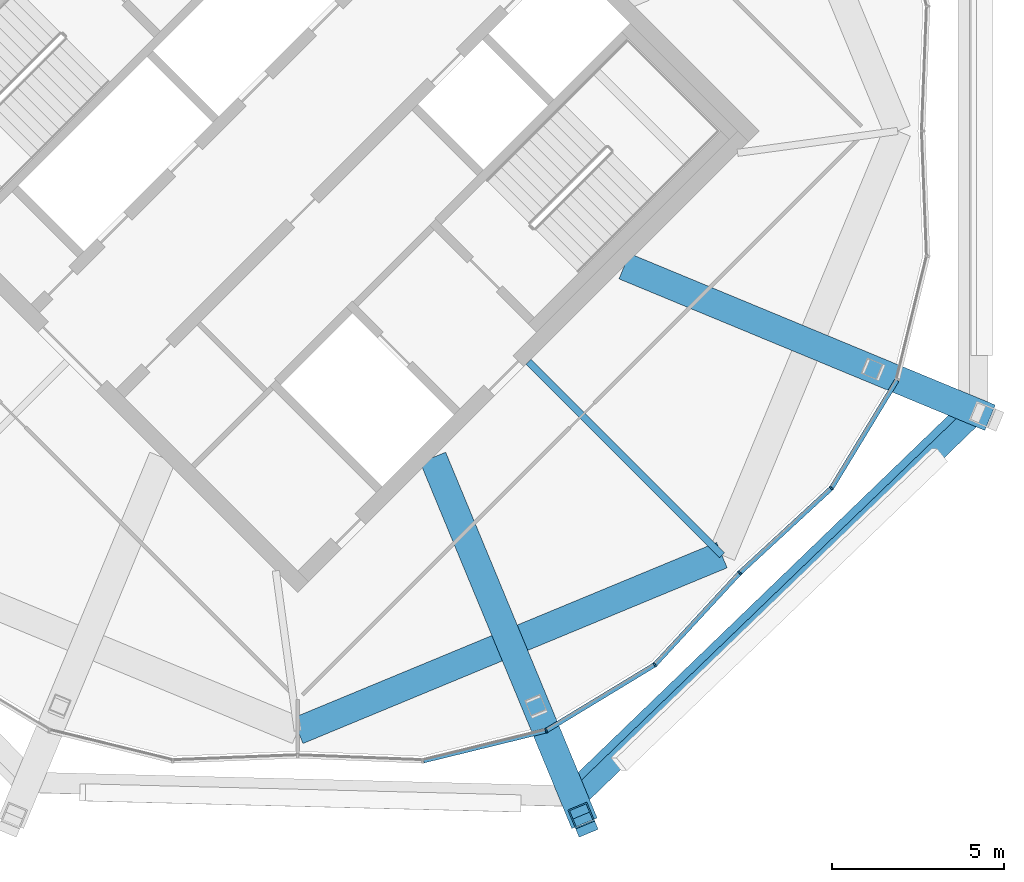
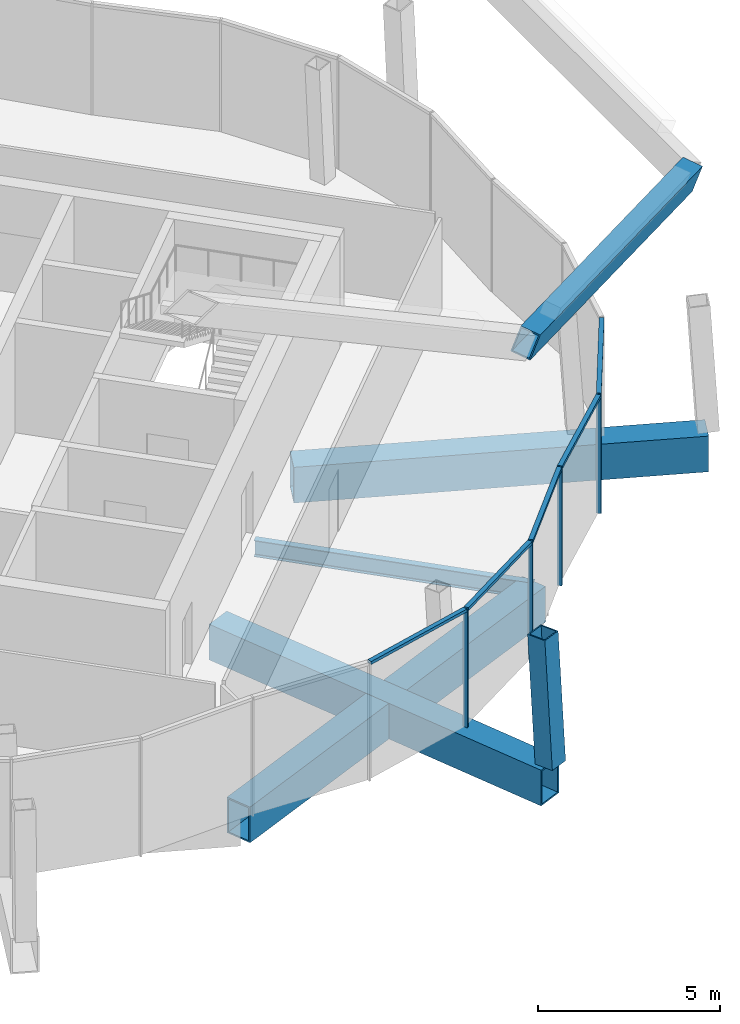
# One storey, part 19 of 34: 10 members, 5 beams, 2 elements without a shape of their own.
"""IFC4 building model written with IfcOpenShell, lengths in metres."""

from ifc_helpers import new_model, si_unit, direction, frame, origin, origin_2d, place, context, subcontext, project, spatial, rectangle, hollow_rectangle, i_section, extrude, material, material_profile, profile_set, type_object, element, aggregate, save


model = new_model("IFC4")

# Units and contexts
model_context = context("Model", 3, precision=1e-05, world=origin(), true_north=direction((0.0, 1.0)))
body_context = subcontext(model_context, "Body", "Model", "MODEL_VIEW")
ifc_project = project(units=[si_unit("LENGTHUNIT", "METRE"), si_unit("AREAUNIT", "SQUARE_METRE"), si_unit("VOLUMEUNIT", "CUBIC_METRE"), si_unit("PLANEANGLEUNIT", "RADIAN"), si_unit("MASSUNIT", "GRAM", prefix="KILO")], contexts=[model_context])

# Site, building, storey
site_placement = place(None, origin())
site = spatial("IfcSite", under=ifc_project, at=site_placement, CompositionType="ELEMENT")
building_placement = place(site_placement, origin())
building = spatial("IfcBuilding", under=site, at=building_placement, Name="Ogive Gate Towers", CompositionType="ELEMENT")
storey_placement = place(building_placement, frame((0.0, 0.0, 294.0)))
storey = spatial("IfcBuildingStorey", under=building, at=storey_placement, Name="L69", CompositionType="ELEMENT", Elevation=294.0)

# Curtain wall, members
ifc_material_1 = material(Name="Pale metal aluminium", Category="aluminium")
curtain_wall_type = type_object("IfcCurtainWallType", Name="Crown lean wall", PredefinedType="NOTDEFINED", material=ifc_material_1)
curtain_wall_1_placement = place(storey_placement, origin())
curtain_wall_1 = element("IfcCurtainWall", 1, at=curtain_wall_1_placement, inside=storey, type_object=curtain_wall_type, Name="CW5 T2 ECW07", PredefinedType="NOTDEFINED")
ifc_material_profile_1 = material_profile(ifc_material_1, rectangle(XDim=0.139892578125, YDim=0.050048828125, at=origin_2d()), Name="50 x 140 aluminium box")
ifc_profile_set_1 = profile_set([ifc_material_profile_1], Name="Pale metal aluminium")
member_type_1 = type_object("IfcMemberType", Name="Crown lean wall mullion 50 x 140", PredefinedType="MULLION", material=ifc_profile_set_1)
member_1_placement = place(storey_placement, frame((48.859619140625, -12.85791015625, -0.300048828125), z_axis=(0.0, 0.0, 1.0), x_axis=(-0.734547567907, 0.678557197649, 0.0)))
member_1 = element("IfcMember", 2, at=member_1_placement, type_object=member_type_1, Name="CW5 mullion", PredefinedType="MULLION", context=body_context, shape_type="SweptSolid", body=[
    extrude(rectangle(XDim=0.139892578125, YDim=0.050048828125, at=origin_2d()), origin(), (0.0, 0.0, 1.0), 4.0),
])
member_2_placement = place(storey_placement, frame((46.3916015625, -15.529296875, -0.300048828125), z_axis=(0.0, 0.0, 1.0), x_axis=(-0.632759389826, 0.77434847103, 0.0)))
member_2 = element("IfcMember", 3, at=member_2_placement, type_object=member_type_1, Name="CW5 mullion", PredefinedType="MULLION", context=body_context, shape_type="SweptSolid", body=[
    extrude(rectangle(XDim=0.139892578125, YDim=0.050048828125, at=origin_2d()), origin(), (0.0, 0.0, 1.0), 4.0),
])
member_3_placement = place(storey_placement, frame((43.227294921875, -17.448486328125, -0.300048828125), z_axis=(0.0, 0.0, 1.0), x_axis=(-0.382683432365, 0.923879532511, 0.0)))
member_3 = element("IfcMember", 4, at=member_3_placement, type_object=member_type_1, Name="CW5 mullion", PredefinedType="MULLION", context=body_context, shape_type="SweptSolid", body=[
    extrude(rectangle(XDim=0.139892578125, YDim=0.050048828125, at=origin_2d()), origin(), (0.0, 0.0, 1.0), 4.0),
])

# Curtain wall, member
curtain_wall_2_placement = place(storey_placement, origin())
curtain_wall_2 = element("IfcCurtainWall", 5, at=curtain_wall_2_placement, inside=storey, type_object=curtain_wall_type, Name="CW5 T2 ECW08", PredefinedType="NOTDEFINED")
member_4_placement = place(storey_placement, frame((51.529296875, -10.3916015625, -0.300048828125), z_axis=(0.0, 0.0, 1.0), x_axis=(-0.77434847103, 0.632759389826, 0.0)))
member_4 = element("IfcMember", 6, at=member_4_placement, type_object=member_type_1, Name="CW5 mullion", PredefinedType="MULLION", context=body_context, shape_type="SweptSolid", body=[
    extrude(rectangle(XDim=0.139892578125, YDim=0.050048828125, at=origin_2d()), origin(), (0.0, 0.0, 1.0), 4.0),
])

# Member
ifc_material_profile_2 = material_profile(ifc_material_1, rectangle(XDim=0.139892578125, YDim=0.10009765625, at=origin_2d()), Name="100 x 140 aluminium box")
ifc_profile_set_2 = profile_set([ifc_material_profile_2], Name="Pale metal aluminium")
member_type_2 = type_object("IfcMemberType", Name="Crown lean wall transom 100 x 140", PredefinedType="USERDEFINED", material=ifc_profile_set_2)
member_5_placement = place(storey_placement, frame((48.8427734375, -12.876220703125, 3.64990234375), z_axis=(-0.678546090414, -0.734557828346, 0.0), x_axis=(0.734557828346, -0.678546090414, 0.0)))
member_5 = element("IfcMember", 7, at=member_5_placement, type_object=member_type_2, Name="CW5 transom", ObjectType="TRANSOM", PredefinedType="USERDEFINED", context=body_context, shape_type="SweptSolid", body=[
    extrude(rectangle(XDim=0.139892578125, YDim=0.10009765625, at=origin_2d()), origin(), (0.0, 0.0, 1.0), 3.582763671875),
])

member_6_placement = place(storey_placement, frame((46.36669921875, -15.544677734375, 3.64990234375), z_axis=(-0.854998787074, -0.518629997302, 0.0), x_axis=(0.518629997302, -0.854998787074, 0.0)))
member_6 = element("IfcMember", 8, at=member_6_placement, type_object=member_type_2, Name="CW5 transom", ObjectType="TRANSOM", PredefinedType="USERDEFINED", context=body_context, shape_type="SweptSolid", body=[
    extrude(rectangle(XDim=0.139892578125, YDim=0.10009765625, at=origin_2d()), origin(), (0.0, 0.0, 1.0), 3.64208984375),
])

member_7_placement = place(storey_placement, frame((43.19873046875, -17.455810546875, 3.64990234375), z_axis=(-0.971286879925, -0.237911321475, 0.0), x_axis=(0.237911321475, -0.971286879925, 0.0)))
member_7 = element("IfcMember", 9, at=member_7_placement, type_object=member_type_2, Name="CW5 transom", ObjectType="TRANSOM", PredefinedType="USERDEFINED", context=body_context, shape_type="SweptSolid", body=[
    extrude(rectangle(XDim=0.139892578125, YDim=0.10009765625, at=origin_2d()), origin(), (0.0, 0.0, 1.0), 3.641845703125),
])

aggregate(curtain_wall_1, [member_1, member_2, member_5, member_3, member_6, member_7])

member_8_placement = place(storey_placement, frame((53.43359375, -7.252685546875, 3.64990234375), z_axis=(-0.518629997302, -0.854998787074, 0.0), x_axis=(0.854998787074, -0.518629997302, 0.0)))
member_8 = element("IfcMember", 10, at=member_8_placement, type_object=member_type_2, Name="CW5 transom", ObjectType="TRANSOM", PredefinedType="USERDEFINED", context=body_context, shape_type="SweptSolid", body=[
    extrude(rectangle(XDim=0.139892578125, YDim=0.10009765625, at=origin_2d()), origin(), (0.0, 0.0, 1.0), 3.64208984375),
])

member_9_placement = place(storey_placement, frame((51.508056640625, -10.41162109375, 3.64990234375), z_axis=(-0.734557828346, -0.678546090414, 0.0), x_axis=(0.678546090414, -0.734557828346, 0.0)))
member_9 = element("IfcMember", 11, at=member_9_placement, type_object=member_type_2, Name="CW5 transom", ObjectType="TRANSOM", PredefinedType="USERDEFINED", context=body_context, shape_type="SweptSolid", body=[
    extrude(rectangle(XDim=0.139892578125, YDim=0.10009765625, at=origin_2d()), origin(), (0.0, 0.0, 1.0), 3.582763671875),
])

aggregate(curtain_wall_2, [member_4, member_8, member_9])

ifc_material_2 = material(Name="Steel SM460", Category="steel")
ifc_material_profile_3 = material_profile(ifc_material_2, hollow_rectangle(XDim=0.60009765625, YDim=0.60009765625, WallThickness=0.0400390625, at=origin_2d()), Name="BX 600x600x40")
ifc_profile_set_3 = profile_set([ifc_material_profile_3], Name="Steel SM460")
member_type_3 = type_object("IfcMemberType", Name="Crown rib BX 600x600x40", PredefinedType="MEMBER", material=ifc_profile_set_3)
member_10_placement = place(storey_placement, frame((44.350341796875, -20.159423828125, -0.25), z_axis=(-0.023393742281, 0.056420201971, 0.998133003979), x_axis=(-0.923742113572, -0.3830150227, 0.0)))
element("IfcMember", 12, at=member_10_placement, inside=storey, type_object=member_type_3, Name="T2/L69/STR007", PredefinedType="MEMBER", context=body_context, shape_type="SweptSolid", body=[
    extrude(hollow_rectangle(XDim=0.60009765625, YDim=0.60009765625, WallThickness=0.0400390625, at=origin_2d()), origin(), (0.0, 0.0, 1.0), 4.258056640625),
])

# Beams
ifc_material_profile_4 = material_profile(ifc_material_2, hollow_rectangle(XDim=0.60009765625, YDim=0.800048828125, WallThickness=0.0400390625, at=origin_2d()), Name="BX 800x600x40")
ifc_profile_set_4 = profile_set([ifc_material_profile_4], Name="Steel SM460")
beam_type_1 = type_object("IfcBeamType", Name="Crown ring beam BX 800x600x40", PredefinedType="BEAM", material=ifc_profile_set_4)
beam_1_placement = place(storey_placement, frame((44.018798828125, -19.359130859375, 13.474365234375), z_axis=(0.685197707723, 0.660710955378, -0.306537330149), x_axis=(0.603109909205, -0.750640415537, -0.269809940478)))
element("IfcBeam", 13, at=beam_1_placement, inside=storey, type_object=beam_type_1, Name="T2/L69/SBM007", PredefinedType="BEAM", context=body_context, shape_type="SweptSolid", body=[
    extrude(hollow_rectangle(XDim=0.60009765625, YDim=0.800048828125, WallThickness=0.0400390625, at=origin_2d()), origin(), (0.0, 0.0, 1.0), 16.9794921875),
])
ifc_material_profile_5 = material_profile(ifc_material_2, hollow_rectangle(XDim=0.800048828125, YDim=1.199951171875, WallThickness=0.050048828125, at=origin_2d()), Name="BX 1200x800x50")
ifc_profile_set_5 = profile_set([ifc_material_profile_5], Name="Steel SM460")
beam_type_2 = type_object("IfcBeamType", Name="Edge girder BX 1200x800x50", PredefinedType="BEAM", material=ifc_profile_set_5)
beam_2_placement = place(storey_placement, frame((36.0, -17.455078125, -0.89990234375), z_axis=(0.923876732551, 0.382690191996, 0.0), x_axis=(-0.382690191996, 0.923876732551, 0.0)))
element("IfcBeam", 14, at=beam_2_placement, inside=storey, type_object=beam_type_2, Name="T2/L69/SBM026", PredefinedType="BEAM", context=body_context, shape_type="SweptSolid", body=[
    extrude(hollow_rectangle(XDim=0.800048828125, YDim=1.199951171875, WallThickness=0.050048828125, at=origin_2d()), origin(), (0.0, 0.0, 1.0), 13.359619140625),
])
ifc_material_3 = material(Name="Steel SM355", Category="steel")
ifc_material_profile_6 = material_profile(ifc_material_3, i_section(OverallWidth=0.2099609375, OverallDepth=0.550048828125, WebThickness=0.010986328125, FlangeThickness=0.01708984375, FilletRadius=0.02392578125, at=origin_2d()), Name="IPE 550")
ifc_profile_set_6 = profile_set([ifc_material_profile_6], Name="Steel SM355")
beam_type_3 = type_object("IfcBeamType", Name="Radial floor beam IPE 550", PredefinedType="BEAM", material=ifc_profile_set_6)
beam_3_placement = place(storey_placement, frame((42.717529296875, -6.717529296875, -0.574951171875), z_axis=(0.707106781187, -0.707106781187, 0.0), x_axis=(0.707106781187, 0.707106781187, 0.0)))
element("IfcBeam", 15, at=beam_3_placement, inside=storey, type_object=beam_type_3, Name="T2/L69/SBM013", PredefinedType="BEAM", context=body_context, shape_type="SweptSolid", body=[
    extrude(i_section(OverallWidth=0.2099609375, OverallDepth=0.550048828125, WebThickness=0.010986328125, FlangeThickness=0.01708984375, FilletRadius=0.02392578125, at=origin_2d()), origin(), (0.0, 0.0, 1.0), 7.954833984375),
])
ifc_material_profile_7 = material_profile(ifc_material_2, hollow_rectangle(XDim=0.800048828125, YDim=1.199951171875, WallThickness=0.050048828125, at=origin_2d()), Name="BX 1200x800x50")
ifc_profile_set_7 = profile_set([ifc_material_profile_7], Name="Steel SM460")
beam_type_4 = type_object("IfcBeamType", Name="Transfer radial beam BX 1200x800x50", PredefinedType="BEAM", material=ifc_profile_set_7)
for number, where, z_axis, x_axis, name in (
    (16, (39.93505859375, -9.5, -0.89990234375), (0.382684265017, -0.923879187615, 0.0), (0.923879187615, 0.382684265017, 0.0), "T2/L69/SBM012"),
    (17, (45.5, -3.93505859375, -0.89990234375), (0.923879187615, -0.382684265017, 0.0), (0.382684265017, 0.923879187615, 0.0), "T2/L69/SBM014"),
):
    element("IfcBeam", number, at=place(storey_placement, frame(where, z_axis=z_axis, x_axis=x_axis)), inside=storey, type_object=beam_type_4, Name=name, PredefinedType="BEAM", context=body_context, shape_type="SweptSolid", body=[
        extrude(hollow_rectangle(XDim=0.800048828125, YDim=1.199951171875, WallThickness=0.050048828125, at=origin_2d()), origin(), (0.0, 0.0, 1.0), 11.5224609375),
    ])

save(model, "model.ifc")
